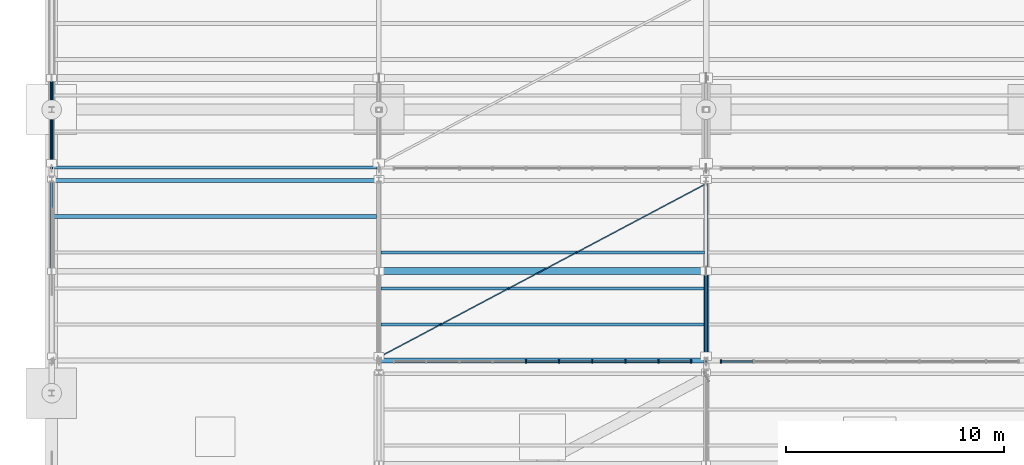
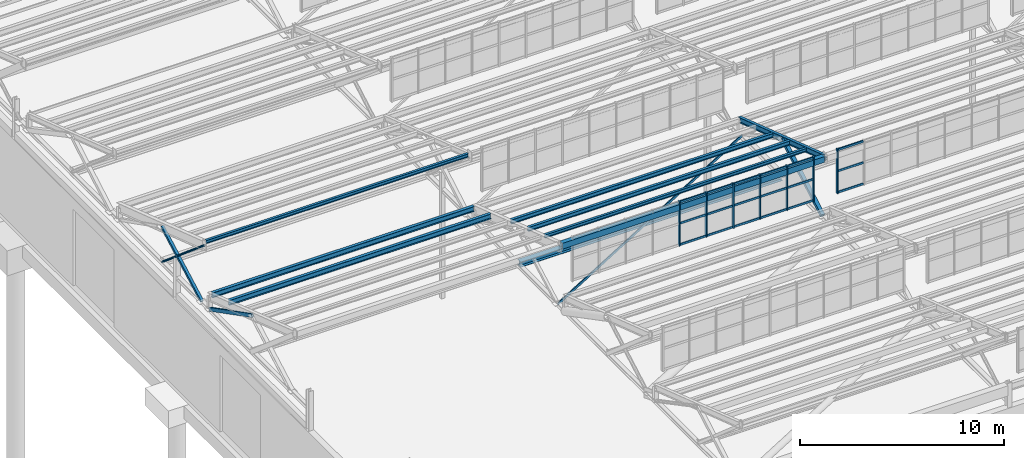
# One storey, part 50 of 285: 32 members, 8 beams, 2 elements without a shape of their own.
"""IFC4 building model written with IfcOpenShell, lengths in metres."""

from ifc_helpers import new_model, si_unit, direction, frame, origin, origin_2d, place, context, subcontext, project, spatial, rectangle, hollow_rectangle, hollow_circle, i_section, extrude, material, material_profile, profile_set, type_object, element, aggregate, save


model = new_model("IFC4")

# Units and contexts
model_context = context("Model", 3, precision=1e-05, world=origin(), true_north=direction((0.0, 1.0)))
body_context = subcontext(model_context, "Body", "Model", "MODEL_VIEW")
ifc_project = project(units=[si_unit("LENGTHUNIT", "METRE"), si_unit("AREAUNIT", "SQUARE_METRE"), si_unit("VOLUMEUNIT", "CUBIC_METRE"), si_unit("PLANEANGLEUNIT", "RADIAN"), si_unit("MASSUNIT", "GRAM", prefix="KILO")], contexts=[model_context])

# Site, building, storey
site_placement = place(None, origin())
site = spatial("IfcSite", under=ifc_project, at=site_placement, CompositionType="ELEMENT")
building_placement = place(site_placement, origin())
building = spatial("IfcBuilding", under=site, at=building_placement, Name="Solanera Park Tramway Depot", CompositionType="ELEMENT")
storey_placement = place(building_placement, origin())
storey = spatial("IfcBuildingStorey", under=building, at=storey_placement, Name="L00", CompositionType="ELEMENT", Elevation=0.0)

# Curtain wall, members
ifc_material_1 = material(Name="Bronze-anodised thermally broken aluminium curtain wall", Category="aluminium")
curtain_wall_type = type_object("IfcCurtainWallType", Name="Sawtooth Clerestory Monitor Curtain Wall", PredefinedType="NOTDEFINED", material=ifc_material_1)
curtain_wall_1_placement = place(storey_placement, origin())
curtain_wall_1 = element("IfcCurtainWall", 1, at=curtain_wall_1_placement, inside=storey, type_object=curtain_wall_type, Name="L00 Sawtooth Clerestory Monitor Curtain Wall #012", PredefinedType="NOTDEFINED")
ifc_material_2 = material(Name="Bronze-anodised structural aluminium 6063-T6", Category="aluminium")
ifc_material_profile_1 = material_profile(ifc_material_2, rectangle(XDim=0.06494140625, YDim=0.14990234375, at=origin_2d()), Name="Curtain Wall Mullion 65x150")
ifc_profile_set_1 = profile_set([ifc_material_profile_1], Name="Bronze-anodised structural aluminium 6063-T6")
member_type_1 = type_object("IfcMemberType", Name="Curtain Wall Mullion 65x150", PredefinedType="MULLION", material=ifc_profile_set_1)
member_1_placement = place(storey_placement, frame((21.739013671875, 73.449951171875, 7.75), z_axis=(0.0, 0.0, 1.0), x_axis=(1.0, 0.0, 0.0)))
member_1 = element("IfcMember", 2, at=member_1_placement, type_object=member_type_1, Name="CW-L00-012 Mullion 5", PredefinedType="MULLION", context=body_context, shape_type="SweptSolid", body=[
    extrude(rectangle(XDim=0.06494140625, YDim=0.14990234375, at=origin_2d()), origin(), (0.0, 0.0, 1.0), 2.6611328125),
])
member_2_placement = place(storey_placement, frame((23.260986328125, 73.449951171875, 7.75), z_axis=(0.0, 0.0, 1.0), x_axis=(1.0, 0.0, 0.0)))
member_2 = element("IfcMember", 3, at=member_2_placement, type_object=member_type_1, Name="CW-L00-012 Mullion 6", PredefinedType="MULLION", context=body_context, shape_type="SweptSolid", body=[
    extrude(rectangle(XDim=0.06494140625, YDim=0.14990234375, at=origin_2d()), origin(), (0.0, 0.0, 1.0), 2.6611328125),
])
member_3_placement = place(storey_placement, frame((24.783203125, 73.449951171875, 7.75), z_axis=(0.0, 0.0, 1.0), x_axis=(1.0, 0.0, 0.0)))
member_3 = element("IfcMember", 4, at=member_3_placement, type_object=member_type_1, Name="CW-L00-012 Mullion 7", PredefinedType="MULLION", context=body_context, shape_type="SweptSolid", body=[
    extrude(rectangle(XDim=0.06494140625, YDim=0.14990234375, at=origin_2d()), origin(), (0.0, 0.0, 1.0), 2.6611328125),
])
member_4_placement = place(storey_placement, frame((26.3056640625, 73.449951171875, 7.75), z_axis=(0.0, 0.0, 1.0), x_axis=(1.0, 0.0, 0.0)))
member_4 = element("IfcMember", 5, at=member_4_placement, type_object=member_type_1, Name="CW-L00-012 Mullion 8", PredefinedType="MULLION", context=body_context, shape_type="SweptSolid", body=[
    extrude(rectangle(XDim=0.06494140625, YDim=0.14990234375, at=origin_2d()), origin(), (0.0, 0.0, 1.0), 2.6611328125),
])
member_5_placement = place(storey_placement, frame((27.827880859375, 73.449951171875, 7.75), z_axis=(0.0, 0.0, 1.0), x_axis=(1.0, 0.0, 0.0)))
member_5 = element("IfcMember", 6, at=member_5_placement, type_object=member_type_1, Name="CW-L00-012 Mullion 9", PredefinedType="MULLION", context=body_context, shape_type="SweptSolid", body=[
    extrude(rectangle(XDim=0.06494140625, YDim=0.14990234375, at=origin_2d()), origin(), (0.0, 0.0, 1.0), 2.6611328125),
])
member_6_placement = place(storey_placement, frame((29.3173828125, 73.449951171875, 7.75), z_axis=(0.0, 0.0, 1.0), x_axis=(1.0, 0.0, 0.0)))
member_6 = element("IfcMember", 7, at=member_6_placement, type_object=member_type_1, Name="CW-L00-012 Mullion 10", PredefinedType="MULLION", context=body_context, shape_type="SweptSolid", body=[
    extrude(rectangle(XDim=0.06494140625, YDim=0.14990234375, at=origin_2d()), origin(), (0.0, 0.0, 1.0), 2.6611328125),
])

# Curtain wall, member
curtain_wall_2_placement = place(storey_placement, origin())
curtain_wall_2 = element("IfcCurtainWall", 8, at=curtain_wall_2_placement, inside=storey, type_object=curtain_wall_type, Name="L00 Sawtooth Clerestory Monitor Curtain Wall #013", PredefinedType="NOTDEFINED")
member_7_placement = place(storey_placement, frame((30.6826171875, 73.449951171875, 7.75), z_axis=(0.0, 0.0, 1.0), x_axis=(1.0, 0.0, 0.0)))
member_7 = element("IfcMember", 9, at=member_7_placement, type_object=member_type_1, Name="CW-L00-013 Mullion 1", PredefinedType="MULLION", context=body_context, shape_type="SweptSolid", body=[
    extrude(rectangle(XDim=0.06494140625, YDim=0.14990234375, at=origin_2d()), origin(), (0.0, 0.0, 1.0), 2.6611328125),
])

# Member
ifc_material_3 = material(Name="Bronze-anodised structural aluminium 6063-T6", Category="aluminium")
ifc_material_profile_2 = material_profile(ifc_material_3, rectangle(XDim=0.06494140625, YDim=0.1201171875, at=origin_2d()), Name="Curtain Wall Transom 65x120")
ifc_profile_set_2 = profile_set([ifc_material_profile_2], Name="Bronze-anodised structural aluminium 6063-T6")
member_type_2 = type_object("IfcMemberType", Name="Curtain Wall Transom 65x120", PredefinedType="USERDEFINED", material=ifc_profile_set_2)
member_8_placement = place(storey_placement, frame((21.766845703125, 73.449951171875, 7.81005859375), z_axis=(1.0, 0.0, 0.0), x_axis=(0.0, 1.0, 0.0)))
member_8 = element("IfcMember", 10, at=member_8_placement, type_object=member_type_2, Name="CW-L00-012 Transom R1.C5", ObjectType="TRANSOM", PredefinedType="USERDEFINED", context=body_context, shape_type="SweptSolid", body=[
    extrude(rectangle(XDim=0.06494140625, YDim=0.1201171875, at=origin_2d()), origin(), (0.0, 0.0, 1.0), 1.46630859375),
])

member_9_placement = place(storey_placement, frame((23.2890625, 73.449951171875, 7.81005859375), z_axis=(1.0, 0.0, 0.0), x_axis=(0.0, 1.0, 0.0)))
member_9 = element("IfcMember", 11, at=member_9_placement, type_object=member_type_2, Name="CW-L00-012 Transom R1.C6", ObjectType="TRANSOM", PredefinedType="USERDEFINED", context=body_context, shape_type="SweptSolid", body=[
    extrude(rectangle(XDim=0.06494140625, YDim=0.1201171875, at=origin_2d()), origin(), (0.0, 0.0, 1.0), 1.46630859375),
])

member_10_placement = place(storey_placement, frame((24.811279296875, 73.449951171875, 7.81005859375), z_axis=(1.0, 0.0, 0.0), x_axis=(0.0, 1.0, 0.0)))
member_10 = element("IfcMember", 12, at=member_10_placement, type_object=member_type_2, Name="CW-L00-012 Transom R1.C7", ObjectType="TRANSOM", PredefinedType="USERDEFINED", context=body_context, shape_type="SweptSolid", body=[
    extrude(rectangle(XDim=0.06494140625, YDim=0.1201171875, at=origin_2d()), origin(), (0.0, 0.0, 1.0), 1.46630859375),
])

member_11_placement = place(storey_placement, frame((26.33349609375, 73.449951171875, 7.81005859375), z_axis=(1.0, 0.0, 0.0), x_axis=(0.0, 1.0, 0.0)))
member_11 = element("IfcMember", 13, at=member_11_placement, type_object=member_type_2, Name="CW-L00-012 Transom R1.C8", ObjectType="TRANSOM", PredefinedType="USERDEFINED", context=body_context, shape_type="SweptSolid", body=[
    extrude(rectangle(XDim=0.06494140625, YDim=0.1201171875, at=origin_2d()), origin(), (0.0, 0.0, 1.0), 1.46630859375),
])

member_12_placement = place(storey_placement, frame((27.855712890625, 73.449951171875, 7.81005859375), z_axis=(1.0, 0.0, 0.0), x_axis=(0.0, 1.0, 0.0)))
member_12 = element("IfcMember", 14, at=member_12_placement, type_object=member_type_2, Name="CW-L00-012 Transom R1.C9", ObjectType="TRANSOM", PredefinedType="USERDEFINED", context=body_context, shape_type="SweptSolid", body=[
    extrude(rectangle(XDim=0.06494140625, YDim=0.1201171875, at=origin_2d()), origin(), (0.0, 0.0, 1.0), 1.433837890625),
])

member_13_placement = place(storey_placement, frame((21.766845703125, 73.449951171875, 9.08056640625), z_axis=(1.0, 0.0, 0.0), x_axis=(0.0, 1.0, 0.0)))
member_13 = element("IfcMember", 15, at=member_13_placement, type_object=member_type_2, Name="CW-L00-012 Transom R2.C5", ObjectType="TRANSOM", PredefinedType="USERDEFINED", context=body_context, shape_type="SweptSolid", body=[
    extrude(rectangle(XDim=0.06494140625, YDim=0.1201171875, at=origin_2d()), origin(), (0.0, 0.0, 1.0), 1.46630859375),
])

member_14_placement = place(storey_placement, frame((23.2890625, 73.449951171875, 9.08056640625), z_axis=(1.0, 0.0, 0.0), x_axis=(0.0, 1.0, 0.0)))
member_14 = element("IfcMember", 16, at=member_14_placement, type_object=member_type_2, Name="CW-L00-012 Transom R2.C6", ObjectType="TRANSOM", PredefinedType="USERDEFINED", context=body_context, shape_type="SweptSolid", body=[
    extrude(rectangle(XDim=0.06494140625, YDim=0.1201171875, at=origin_2d()), origin(), (0.0, 0.0, 1.0), 1.46630859375),
])

member_15_placement = place(storey_placement, frame((24.811279296875, 73.449951171875, 9.08056640625), z_axis=(1.0, 0.0, 0.0), x_axis=(0.0, 1.0, 0.0)))
member_15 = element("IfcMember", 17, at=member_15_placement, type_object=member_type_2, Name="CW-L00-012 Transom R2.C7", ObjectType="TRANSOM", PredefinedType="USERDEFINED", context=body_context, shape_type="SweptSolid", body=[
    extrude(rectangle(XDim=0.06494140625, YDim=0.1201171875, at=origin_2d()), origin(), (0.0, 0.0, 1.0), 1.46630859375),
])

member_16_placement = place(storey_placement, frame((26.33349609375, 73.449951171875, 9.08056640625), z_axis=(1.0, 0.0, 0.0), x_axis=(0.0, 1.0, 0.0)))
member_16 = element("IfcMember", 18, at=member_16_placement, type_object=member_type_2, Name="CW-L00-012 Transom R2.C8", ObjectType="TRANSOM", PredefinedType="USERDEFINED", context=body_context, shape_type="SweptSolid", body=[
    extrude(rectangle(XDim=0.06494140625, YDim=0.1201171875, at=origin_2d()), origin(), (0.0, 0.0, 1.0), 1.46630859375),
])

member_17_placement = place(storey_placement, frame((27.855712890625, 73.449951171875, 9.08056640625), z_axis=(1.0, 0.0, 0.0), x_axis=(0.0, 1.0, 0.0)))
member_17 = element("IfcMember", 19, at=member_17_placement, type_object=member_type_2, Name="CW-L00-012 Transom R2.C9", ObjectType="TRANSOM", PredefinedType="USERDEFINED", context=body_context, shape_type="SweptSolid", body=[
    extrude(rectangle(XDim=0.06494140625, YDim=0.1201171875, at=origin_2d()), origin(), (0.0, 0.0, 1.0), 1.433837890625),
])

member_18_placement = place(storey_placement, frame((21.766845703125, 73.449951171875, 10.351318359375), z_axis=(1.0, 0.0, 0.0), x_axis=(0.0, 1.0, 0.0)))
member_18 = element("IfcMember", 20, at=member_18_placement, type_object=member_type_2, Name="CW-L00-012 Transom R3.C5", ObjectType="TRANSOM", PredefinedType="USERDEFINED", context=body_context, shape_type="SweptSolid", body=[
    extrude(rectangle(XDim=0.06494140625, YDim=0.1201171875, at=origin_2d()), origin(), (0.0, 0.0, 1.0), 1.46630859375),
])

member_19_placement = place(storey_placement, frame((23.2890625, 73.449951171875, 10.351318359375), z_axis=(1.0, 0.0, 0.0), x_axis=(0.0, 1.0, 0.0)))
member_19 = element("IfcMember", 21, at=member_19_placement, type_object=member_type_2, Name="CW-L00-012 Transom R3.C6", ObjectType="TRANSOM", PredefinedType="USERDEFINED", context=body_context, shape_type="SweptSolid", body=[
    extrude(rectangle(XDim=0.06494140625, YDim=0.1201171875, at=origin_2d()), origin(), (0.0, 0.0, 1.0), 1.46630859375),
])

member_20_placement = place(storey_placement, frame((24.811279296875, 73.449951171875, 10.351318359375), z_axis=(1.0, 0.0, 0.0), x_axis=(0.0, 1.0, 0.0)))
member_20 = element("IfcMember", 22, at=member_20_placement, type_object=member_type_2, Name="CW-L00-012 Transom R3.C7", ObjectType="TRANSOM", PredefinedType="USERDEFINED", context=body_context, shape_type="SweptSolid", body=[
    extrude(rectangle(XDim=0.06494140625, YDim=0.1201171875, at=origin_2d()), origin(), (0.0, 0.0, 1.0), 1.46630859375),
])

member_21_placement = place(storey_placement, frame((26.33349609375, 73.449951171875, 10.351318359375), z_axis=(1.0, 0.0, 0.0), x_axis=(0.0, 1.0, 0.0)))
member_21 = element("IfcMember", 23, at=member_21_placement, type_object=member_type_2, Name="CW-L00-012 Transom R3.C8", ObjectType="TRANSOM", PredefinedType="USERDEFINED", context=body_context, shape_type="SweptSolid", body=[
    extrude(rectangle(XDim=0.06494140625, YDim=0.1201171875, at=origin_2d()), origin(), (0.0, 0.0, 1.0), 1.46630859375),
])

member_22_placement = place(storey_placement, frame((27.855712890625, 73.449951171875, 10.351318359375), z_axis=(1.0, 0.0, 0.0), x_axis=(0.0, 1.0, 0.0)))
member_22 = element("IfcMember", 24, at=member_22_placement, type_object=member_type_2, Name="CW-L00-012 Transom R3.C9", ObjectType="TRANSOM", PredefinedType="USERDEFINED", context=body_context, shape_type="SweptSolid", body=[
    extrude(rectangle(XDim=0.06494140625, YDim=0.1201171875, at=origin_2d()), origin(), (0.0, 0.0, 1.0), 1.433837890625),
])

aggregate(curtain_wall_1, [member_1, member_2, member_3, member_4, member_5, member_6, member_8, member_9, member_10, member_11, member_12, member_13, member_14, member_15, member_16, member_17, member_18, member_19, member_20, member_21, member_22])

member_23_placement = place(storey_placement, frame((30.71044921875, 73.449951171875, 7.81005859375), z_axis=(1.0, 0.0, 0.0), x_axis=(0.0, 1.0, 0.0)))
member_23 = element("IfcMember", 25, at=member_23_placement, type_object=member_type_2, Name="CW-L00-013 Transom R1.C1", ObjectType="TRANSOM", PredefinedType="USERDEFINED", context=body_context, shape_type="SweptSolid", body=[
    extrude(rectangle(XDim=0.06494140625, YDim=0.1201171875, at=origin_2d()), origin(), (0.0, 0.0, 1.0), 1.433837890625),
])

member_24_placement = place(storey_placement, frame((30.71044921875, 73.449951171875, 9.08056640625), z_axis=(1.0, 0.0, 0.0), x_axis=(0.0, 1.0, 0.0)))
member_24 = element("IfcMember", 26, at=member_24_placement, type_object=member_type_2, Name="CW-L00-013 Transom R2.C1", ObjectType="TRANSOM", PredefinedType="USERDEFINED", context=body_context, shape_type="SweptSolid", body=[
    extrude(rectangle(XDim=0.06494140625, YDim=0.1201171875, at=origin_2d()), origin(), (0.0, 0.0, 1.0), 1.433837890625),
])

member_25_placement = place(storey_placement, frame((30.71044921875, 73.449951171875, 10.351318359375), z_axis=(1.0, 0.0, 0.0), x_axis=(0.0, 1.0, 0.0)))
member_25 = element("IfcMember", 27, at=member_25_placement, type_object=member_type_2, Name="CW-L00-013 Transom R3.C1", ObjectType="TRANSOM", PredefinedType="USERDEFINED", context=body_context, shape_type="SweptSolid", body=[
    extrude(rectangle(XDim=0.06494140625, YDim=0.1201171875, at=origin_2d()), origin(), (0.0, 0.0, 1.0), 1.433837890625),
])

aggregate(curtain_wall_2, [member_7, member_23, member_24, member_25])

# Members
ifc_material_4 = material(Name="Steel AS/NZS 1163 Grade C350L0", Category="steel")
ifc_material_profile_3 = material_profile(ifc_material_4, hollow_rectangle(XDim=0.14990234375, YDim=0.14990234375, WallThickness=0.006103515625, at=origin_2d()), Name="150x150x6.0 SHS")
ifc_profile_set_3 = profile_set([ifc_material_profile_3], Name="Steel AS/NZS 1163 Grade C350L0")
member_type_3 = type_object("IfcMemberType", Name="Roof Gantry Compression Strut 150x150x6.0 SHS", PredefinedType="STRUT", material=ifc_profile_set_3)
member_26_placement = place(storey_placement, frame((0.0, 82.550048828125, 6.5), z_axis=(0.0, 0.877666599941, 0.479271675929), x_axis=(-1.0, 0.0, 0.0)))
element("IfcMember", 28, at=member_26_placement, inside=storey, type_object=member_type_3, Name="Sawtooth ROOF TRUSS Strut 150x150x6.0 SHS #0134", PredefinedType="STRUT", context=body_context, shape_type="SweptSolid", body=[
    extrude(hollow_rectangle(XDim=0.14990234375, YDim=0.14990234375, WallThickness=0.006103515625, at=origin_2d()), origin(), (0.0, 0.0, 1.0), 4.443603515625),
])
ifc_material_5 = material(Name="Steel AS/NZS 1163 Grade C350L0", Category="steel")
ifc_material_profile_4 = material_profile(ifc_material_5, hollow_rectangle(XDim=0.199951171875, YDim=0.199951171875, WallThickness=0.008056640625, at=origin_2d()), Name="200x200x8.0 SHS")
ifc_profile_set_4 = profile_set([ifc_material_profile_4], Name="Steel AS/NZS 1163 Grade C350L0")
member_type_4 = type_object("IfcMemberType", Name="Roof Gantry Compression Strut 200x200x8.0 SHS", PredefinedType="STRUT", material=ifc_profile_set_4)
member_27_placement = place(storey_placement, frame((30.0, 73.699951171875, 6.5), z_axis=(0.0, 0.866897509249, 0.498486417525), x_axis=(-1.0, 0.0, 0.0)))
element("IfcMember", 29, at=member_27_placement, inside=storey, type_object=member_type_4, Name="Sawtooth ROOF TRUSS Strut 200x200x8.0 SHS #0093", PredefinedType="STRUT", context=body_context, shape_type="SweptSolid", body=[
    extrude(hollow_rectangle(XDim=0.199951171875, YDim=0.199951171875, WallThickness=0.008056640625, at=origin_2d()), origin(), (0.0, 0.0, 1.0), 4.4990234375),
])
ifc_material_6 = material(Name="Steel AS/NZS 3679.1 Grade 350", Category="steel")
ifc_material_profile_5 = material_profile(ifc_material_6, i_section(OverallWidth=0.306884765625, OverallDepth=0.314697265625, WebThickness=0.011962890625, FlangeThickness=0.018798828125, at=origin_2d()), Name="310UC118")
ifc_profile_set_5 = profile_set([ifc_material_profile_5], Name="Steel AS/NZS 3679.1 Grade 350")
member_type_5 = type_object("IfcMemberType", Name="Secondary Truss Chord 310UC118", PredefinedType="CHORD", material=ifc_profile_set_5)
member_28_placement = place(storey_placement, frame((15.087890625, 77.60009765625, 6.5), z_axis=(1.0, 0.0, 0.0), x_axis=(0.0, 1.0, 0.0)))
element("IfcMember", 30, at=member_28_placement, inside=storey, type_object=member_type_5, Name="Sawtooth Longitudinal Tie Chord 310UC118 #0119", PredefinedType="CHORD", context=body_context, shape_type="SweptSolid", body=[
    extrude(i_section(OverallWidth=0.306884765625, OverallDepth=0.314697265625, WebThickness=0.011962890625, FlangeThickness=0.018798828125, at=origin_2d()), origin(), (0.0, 0.0, 1.0), 14.82421875),
])

# Beams
ifc_material_7 = material(Name="Steel AS/NZS 3679.1 Grade 350", Category="steel")
ifc_material_profile_6 = material_profile(ifc_material_7, i_section(OverallWidth=0.166015625, OverallDepth=0.30712890625, WebThickness=0.006591796875, FlangeThickness=0.01171875, at=origin_2d()), Name="310UB46.2")
ifc_profile_set_6 = profile_set([ifc_material_profile_6], Name="Steel AS/NZS 3679.1 Grade 350")
beam_type_1 = type_object("IfcBeamType", Name="Steel Beam 310UB46.2", PredefinedType="BEAM", material=ifc_profile_set_6)
beam_1_placement = place(storey_placement, frame((30.0, 73.449951171875, 10.131103515625), z_axis=(0.0, 0.948330572612, -0.317283981709), x_axis=(-1.0, 0.0, 0.0)))
element("IfcBeam", 31, at=beam_1_placement, inside=storey, type_object=beam_type_1, Name="Sawtooth ROOF TRUSS Top Rafter 310UB46.2 B03-T3", PredefinedType="BEAM", context=body_context, shape_type="SweptSolid", body=[
    extrude(i_section(OverallWidth=0.166015625, OverallDepth=0.30712890625, WebThickness=0.006591796875, FlangeThickness=0.01171875, at=origin_2d()), origin(), (0.0, 0.0, 1.0), 8.804931640625),
])
ifc_material_8 = material(Name="Steel AS/NZS 3679.1 Grade 350", Category="steel")
ifc_material_profile_7 = material_profile(ifc_material_8, i_section(OverallWidth=0.13330078125, OverallDepth=0.203125, WebThickness=0.005859375, FlangeThickness=0.0078125, at=origin_2d()), Name="200UB25.4")
ifc_profile_set_7 = profile_set([ifc_material_profile_7], Name="Steel AS/NZS 3679.1 Grade 350")
beam_type_2 = type_object("IfcBeamType", Name="Steel Joist Purlin 200UB25.4", PredefinedType="JOIST", material=ifc_profile_set_7)
for number, where, z_axis, x_axis, name in (
    (32, (15.0966796875, 75.14990234375, 9.614013671875), (1.0, 0.0, 0.0), (0.0, 1.0, 0.0), "Sawtooth Roof Purlin 200UB25.4 B03.2"),
    (33, (0.0966796875, 82.35009765625, 10.166259765625), (1.0, 0.0, 0.0), (0.0, 1.0, 0.0), "Sawtooth Roof Purlin 200UB25.4 B04.1"),
):
    element("IfcBeam", number, at=place(storey_placement, frame(where, z_axis=z_axis, x_axis=x_axis)), inside=storey, type_object=beam_type_2, Name=name, PredefinedType="JOIST", context=body_context, shape_type="SweptSolid", body=[
        extrude(i_section(OverallWidth=0.13330078125, OverallDepth=0.203125, WebThickness=0.005859375, FlangeThickness=0.0078125, at=origin_2d()), origin(), (0.0, 0.0, 1.0), 14.828369140625),
    ])
ifc_material_9 = material(Name="Steel AS/NZS 3679.1 Grade 350", Category="steel")
ifc_material_profile_8 = material_profile(ifc_material_9, i_section(OverallWidth=0.14599609375, OverallDepth=0.251708984375, WebThickness=0.006103515625, FlangeThickness=0.008544921875, at=origin_2d()), Name="250UB31.4")
ifc_profile_set_8 = profile_set([ifc_material_profile_8], Name="Steel AS/NZS 3679.1 Grade 350")
beam_type_3 = type_object("IfcBeamType", Name="Steel Joist Purlin 250UB31.4", PredefinedType="JOIST", material=ifc_profile_set_8)
beam_2_placement = place(storey_placement, frame((15.0966796875, 76.800048828125, 9.03564453125), z_axis=(1.0, 0.0, 0.0), x_axis=(0.0, 1.0, 0.0)))
element("IfcBeam", 34, at=beam_2_placement, inside=storey, type_object=beam_type_3, Name="Sawtooth Roof Purlin 250UB31.4 B03.3", PredefinedType="JOIST", context=body_context, shape_type="SweptSolid", body=[
    extrude(i_section(OverallWidth=0.14599609375, OverallDepth=0.251708984375, WebThickness=0.006103515625, FlangeThickness=0.008544921875, at=origin_2d()), origin(), (0.0, 0.0, 1.0), 14.828369140625),
])
ifc_material_10 = material(Name="Steel AS/NZS 3679.1 Grade 350", Category="steel")
ifc_material_profile_9 = material_profile(ifc_material_10, i_section(OverallWidth=0.146484375, OverallDepth=0.256103515625, WebThickness=0.00634765625, FlangeThickness=0.010986328125, at=origin_2d()), Name="250UB37.3")
ifc_profile_set_9 = profile_set([ifc_material_profile_9], Name="Steel AS/NZS 3679.1 Grade 350")
beam_type_4 = type_object("IfcBeamType", Name="Steel Joist Purlin 250UB37.3", PredefinedType="JOIST", material=ifc_profile_set_9)
beam_3_placement = place(storey_placement, frame((15.0966796875, 78.449951171875, 8.481201171875), z_axis=(1.0, 0.0, 0.0), x_axis=(0.0, 1.0, 0.0)))
element("IfcBeam", 35, at=beam_3_placement, inside=storey, type_object=beam_type_4, Name="Sawtooth Roof Purlin 250UB37.3 B03.4", PredefinedType="JOIST", context=body_context, shape_type="SweptSolid", body=[
    extrude(i_section(OverallWidth=0.146484375, OverallDepth=0.256103515625, WebThickness=0.00634765625, FlangeThickness=0.010986328125, at=origin_2d()), origin(), (0.0, 0.0, 1.0), 14.828369140625),
])
ifc_material_11 = material(Name="Steel AS/NZS 3679.1 Grade 350", Category="steel")
ifc_material_profile_10 = material_profile(ifc_material_11, i_section(OverallWidth=0.1650390625, OverallDepth=0.3037109375, WebThickness=0.006103515625, FlangeThickness=0.01025390625, at=origin_2d()), Name="310UB40.4")
ifc_profile_set_10 = profile_set([ifc_material_profile_10], Name="Steel AS/NZS 3679.1 Grade 350")
beam_type_5 = type_object("IfcBeamType", Name="Steel Joist Purlin 310UB40.4", PredefinedType="JOIST", material=ifc_profile_set_10)
beam_4_placement = place(storey_placement, frame((0.087158203125, 80.10009765625, 7.902099609375), z_axis=(1.0, 0.0, 0.0), x_axis=(0.0, 1.0, 0.0)))
element("IfcBeam", 36, at=beam_4_placement, inside=storey, type_object=beam_type_5, Name="Sawtooth Roof Purlin 310UB40.4 B03.5", PredefinedType="JOIST", context=body_context, shape_type="SweptSolid", body=[
    extrude(i_section(OverallWidth=0.1650390625, OverallDepth=0.3037109375, WebThickness=0.006103515625, FlangeThickness=0.01025390625, at=origin_2d()), origin(), (0.0, 0.0, 1.0), 14.816162109375),
])
ifc_material_12 = material(Name="Steel AS/NZS 3679.1 Grade 350", Category="steel")
ifc_material_profile_11 = material_profile(ifc_material_12, i_section(OverallWidth=0.166015625, OverallDepth=0.30712890625, WebThickness=0.006591796875, FlangeThickness=0.01171875, at=origin_2d()), Name="310UB46.2")
ifc_profile_set_11 = profile_set([ifc_material_profile_11], Name="Steel AS/NZS 3679.1 Grade 350")
beam_type_6 = type_object("IfcBeamType", Name="Steel Joist Purlin 310UB46.2", PredefinedType="JOIST", material=ifc_profile_set_11)
beam_5_placement = place(storey_placement, frame((0.087158203125, 81.75, 7.348388671875), z_axis=(1.0, 0.0, 0.0), x_axis=(0.0, 1.0, 0.0)))
element("IfcBeam", 37, at=beam_5_placement, inside=storey, type_object=beam_type_6, Name="Sawtooth Roof Purlin 310UB46.2 B03.6", PredefinedType="JOIST", context=body_context, shape_type="SweptSolid", body=[
    extrude(i_section(OverallWidth=0.166015625, OverallDepth=0.30712890625, WebThickness=0.006591796875, FlangeThickness=0.01171875, at=origin_2d()), origin(), (0.0, 0.0, 1.0), 14.816162109375),
])
ifc_material_13 = material(Name="Steel AS/NZS 1163 Grade C350L0", Category="steel")
ifc_material_profile_12 = material_profile(ifc_material_13, hollow_rectangle(XDim=0.25, YDim=0.35009765625, WallThickness=0.010009765625, at=origin_2d()), Name="350x250x10.0 RHS")
ifc_profile_set_12 = profile_set([ifc_material_profile_12], Name="Steel AS/NZS 1163 Grade C350L0")
beam_type_7 = type_object("IfcBeamType", Name="Steel Joist Purlin 350x250x10.0 RHS", PredefinedType="JOIST", material=ifc_profile_set_12)
beam_6_placement = place(storey_placement, frame((15.0966796875, 73.5, 10.0732421875), z_axis=(1.0, 0.0, 0.0), x_axis=(0.0, 1.0, 0.0)))
element("IfcBeam", 38, at=beam_6_placement, inside=storey, type_object=beam_type_7, Name="Sawtooth Roof Purlin 350x250x10.0 RHS B03.1", PredefinedType="JOIST", context=body_context, shape_type="SweptSolid", body=[
    extrude(hollow_rectangle(XDim=0.25, YDim=0.35009765625, WallThickness=0.010009765625, at=origin_2d()), origin(), (0.0, 0.0, 1.0), 14.828369140625),
])

# Members
ifc_material_14 = material(Name="Steel AS/NZS 1163 Grade C350L0", Category="steel")
ifc_material_profile_13 = material_profile(ifc_material_14, hollow_circle(Radius=0.05712890625, WallThickness=0.0048828125, at=origin_2d()), Name="114.3x4.8 CHS")
ifc_profile_set_13 = profile_set([ifc_material_profile_13], Name="Steel AS/NZS 1163 Grade C350L0")
member_type_6 = type_object("IfcMemberType", Name="Truss and Frame Brace 114.3x4.8 CHS", PredefinedType="BRACE", material=ifc_profile_set_13)
member_29_placement = place(storey_placement, frame((0.0, 86.449951171875, 6.5), z_axis=(0.0, -0.762764662408, 0.646676170724), x_axis=(1.0, 0.0, 0.0)))
element("IfcMember", 39, at=member_29_placement, inside=storey, type_object=member_type_6, Name="Sawtooth ROOF TRUSS Web Brace 114.3x4.8 CHS #0132", PredefinedType="BRACE", context=body_context, shape_type="SweptSolid", body=[
    extrude(hollow_circle(Radius=0.05712890625, WallThickness=0.0048828125, at=origin_2d()), origin(), (0.0, 0.0, 1.0), 5.440673828125),
])
ifc_material_15 = material(Name="Steel AS/NZS 1163 Grade C350L0", Category="steel")
ifc_material_profile_14 = material_profile(ifc_material_15, hollow_rectangle(XDim=0.050048828125, YDim=0.14990234375, WallThickness=0.0048828125, at=origin_2d()), Name="150x50x5.0 RHS")
ifc_profile_set_14 = profile_set([ifc_material_profile_14], Name="Steel AS/NZS 1163 Grade C350L0")
member_type_7 = type_object("IfcMemberType", Name="Truss and Frame Brace 150x50x5.0 RHS", PredefinedType="BRACE", material=ifc_profile_set_14)
member_30_placement = place(storey_placement, frame((15.001953125, 73.64990234375, 6.5), z_axis=(0.883517662461, 0.468397843846, 0.0), x_axis=(-0.468397843846, 0.883517662461, 0.0)))
element("IfcMember", 40, at=member_30_placement, inside=storey, type_object=member_type_7, Name="Roof Plane Cyclonic Brace 150x50x5.0 RHS #0120", PredefinedType="BRACE", context=body_context, shape_type="SweptSolid", body=[
    extrude(hollow_rectangle(XDim=0.050048828125, YDim=0.14990234375, WallThickness=0.0048828125, at=origin_2d()), origin(), (0.0, 0.0, 1.0), 16.97314453125),
])
ifc_material_16 = material(Name="Steel AS/NZS 1163 Grade C350L0", Category="steel")
ifc_material_profile_15 = material_profile(ifc_material_16, hollow_circle(Radius=0.084228515625, WallThickness=0.00634765625, at=origin_2d()), Name="168.3x6.4 CHS")
ifc_profile_set_15 = profile_set([ifc_material_profile_15], Name="Steel AS/NZS 1163 Grade C350L0")
member_type_8 = type_object("IfcMemberType", Name="Truss and Frame Brace 168.3x6.4 CHS", PredefinedType="BRACE", material=ifc_profile_set_15)
member_31_placement = place(storey_placement, frame((30.0, 77.60009765625, 6.5), z_axis=(0.0, -0.752601377508, 0.658476397886), x_axis=(1.0, 0.0, 0.0)))
element("IfcMember", 41, at=member_31_placement, inside=storey, type_object=member_type_8, Name="Sawtooth ROOF TRUSS Web Brace 168.3x6.4 CHS #0091", PredefinedType="BRACE", context=body_context, shape_type="SweptSolid", body=[
    extrude(hollow_circle(Radius=0.084228515625, WallThickness=0.00634765625, at=origin_2d()), origin(), (0.0, 0.0, 1.0), 5.514404296875),
])
ifc_material_17 = material(Name="Steel AS/NZS 1163 Grade C350L0", Category="steel")
ifc_material_profile_16 = material_profile(ifc_material_17, hollow_rectangle(XDim=0.10009765625, YDim=0.199951171875, WallThickness=0.006103515625, at=origin_2d()), Name="200x100x6.0 RHS")
ifc_profile_set_16 = profile_set([ifc_material_profile_16], Name="Steel AS/NZS 1163 Grade C350L0")
member_type_9 = type_object("IfcMemberType", Name="Truss and Frame Brace 200x100x6.0 RHS", PredefinedType="BRACE", material=ifc_profile_set_16)
member_32_placement = place(storey_placement, frame((0.0, 81.800048828125, 6.5), z_axis=(0.0, -0.888641030015, 0.458603445008), x_axis=(1.0, 0.0, 0.0)))
element("IfcMember", 42, at=member_32_placement, inside=storey, type_object=member_type_9, Name="Sawtooth ROOF TRUSS Diagonal 200x100x6.0 RHS #0086", PredefinedType="BRACE", context=body_context, shape_type="SweptSolid", body=[
    extrude(hollow_rectangle(XDim=0.10009765625, YDim=0.199951171875, WallThickness=0.006103515625, at=origin_2d()), origin(), (0.0, 0.0, 1.0), 4.726318359375),
])

save(model, "model.ifc")
